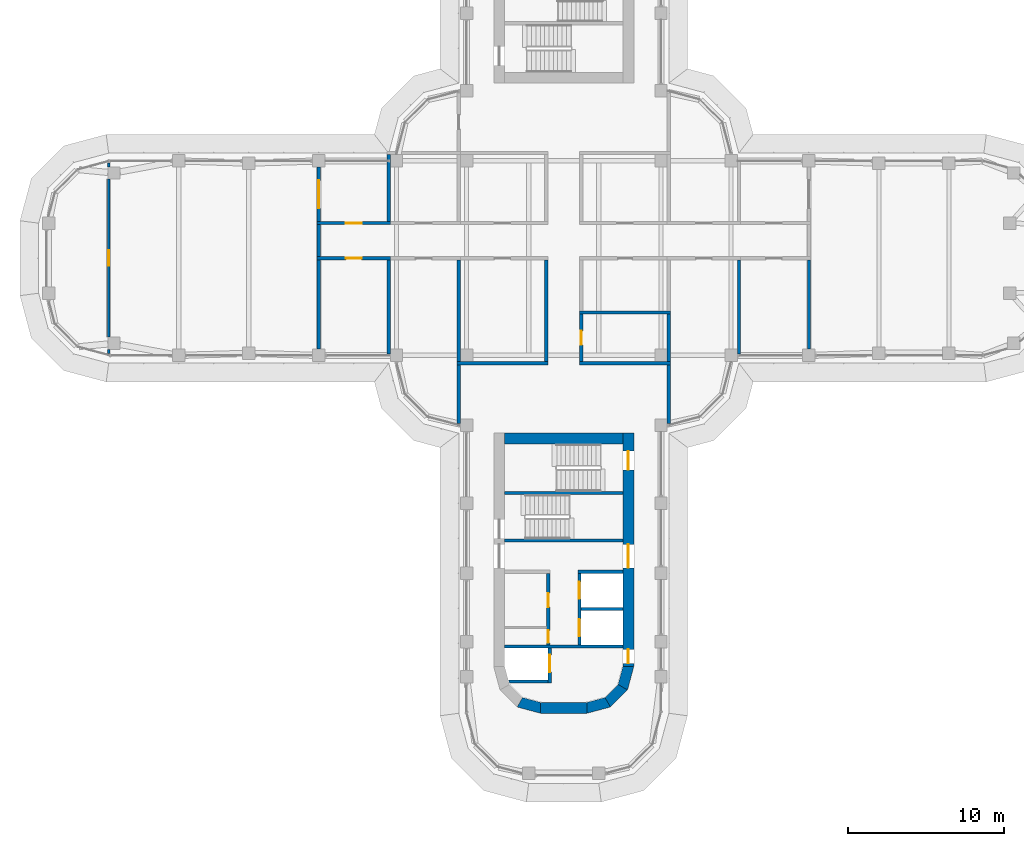
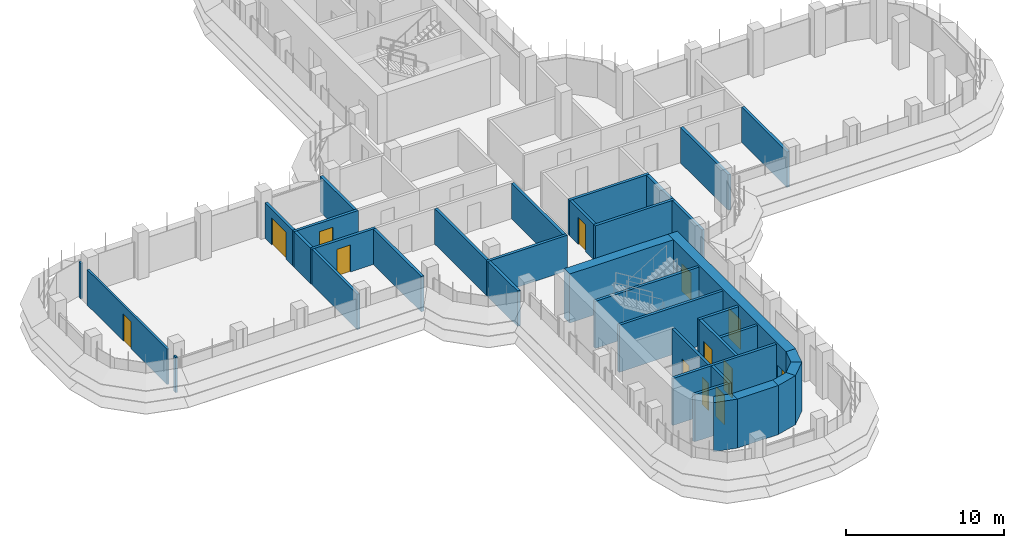
# One storey, part 14 of 20: 37 walls, 13 doors, 13 openings.
"""IFC4 building model written with IfcOpenShell, lengths in metres."""

from ifc_helpers import new_model, si_unit, direction, frame, frame_2d, origin, place, context, subcontext, project, spatial, polyline, rectangle, outline, extrude, material, layer, layer_set, type_object, element, fill, save


model = new_model("IFC4")

# Units and contexts
model_context = context("Model", 3, precision=1e-05, world=origin(), true_north=direction((0.0, 1.0)))
body_context = subcontext(model_context, "Body", "Model", "MODEL_VIEW")
ifc_project = project(units=[si_unit("LENGTHUNIT", "METRE"), si_unit("AREAUNIT", "SQUARE_METRE"), si_unit("VOLUMEUNIT", "CUBIC_METRE"), si_unit("PLANEANGLEUNIT", "RADIAN"), si_unit("MASSUNIT", "GRAM", prefix="KILO")], contexts=[model_context])

# Site, building, storey
site_placement = place(None, origin())
site = spatial("IfcSite", under=ifc_project, at=site_placement, CompositionType="ELEMENT")
building_placement = place(site_placement, origin())
building = spatial("IfcBuilding", under=site, at=building_placement, Name="Zarbagh Exchange Tower", CompositionType="ELEMENT")
storey_placement = place(building_placement, frame((0.0, 0.0, 152.39990234375)))
storey = spatial("IfcBuildingStorey", under=building, at=storey_placement, Name="L36", CompositionType="ELEMENT", Elevation=152.39990234375)

# Wall
ifc_material_1 = material(Name="Plasterboard partition")
ifc_layer_1 = layer(ifc_material_1, 0.14990234375)
ifc_layer_set_1 = layer_set([ifc_layer_1], Name="PARTITION 150")
wall_type_1 = type_object("IfcWallType", Name="PARTITION 150", PredefinedType="PARTITIONING", material=ifc_layer_set_1)
wall_1_placement = place(storey_placement, frame((-29.25, -6.1298828125, 0.0), z_axis=(0.0, 0.0, 1.0), x_axis=(0.0, 1.0, 0.0)))
element("IfcWall", 1, at=wall_1_placement, inside=storey, type_object=wall_type_1, Name="Partition W-1543", PredefinedType="PARTITIONING", context=body_context, shape_type="SweptSolid", body=[
    extrude(rectangle(XDim=0.2548828125, YDim=0.14990234375, at=frame_2d((0.12744140625, 0.0))), origin(), (0.0, 0.0, 1.0), 2.75),
])

# Wall, opening, door
wall_2_placement = place(storey_placement, frame((-29.25, -5.074951171875, 0.0), z_axis=(0.0, 0.0, 1.0), x_axis=(0.0, 1.0, 0.0)))
wall_2 = element("IfcWall", 2, at=wall_2_placement, inside=storey, type_object=wall_type_1, Name="Partition W-1544", PredefinedType="PARTITIONING", context=body_context, shape_type="SweptSolid", body=[
    extrude(rectangle(XDim=10.14990234375, YDim=0.14990234375, at=frame_2d((5.074951171875, 0.0))), origin(), (0.0, 0.0, 1.0), 2.75),
])
opening_1_placement = place(wall_2_placement, frame((4.574951171875, 0.0, 0.0)))
opening_1 = element("IfcOpeningElement", 3, at=opening_1_placement, cuts=wall_2, Name="Opening D-1514", PredefinedType="OPENING", context=body_context, shape_type="SweptSolid", body=[
    extrude(rectangle(XDim=1.0, YDim=2.10009765625, at=frame_2d((0.5, 1.050048828125))), frame((0.0, 0.0849609375, 0.0), z_axis=(0.0, -1.0, 0.0), x_axis=(1.0, 0.0, 0.0)), (0.0, 0.0, 1.0), 0.169921875),
])
ifc_material_2 = material(Name="Timber door leaf", Category="wood")
door_type_1 = type_object("IfcDoorType", Name="DOOR 1000 X 2100", OperationType="NOTDEFINED", PredefinedType="DOOR", material=ifc_material_2)
door_1_placement = place(opening_1_placement, origin())
door_1 = element("IfcDoor", 4, at=door_1_placement, inside=storey, type_object=door_type_1, Name="Door D-1514", OperationType="SINGLE_SWING_RIGHT", OverallHeight=2.10009765625, OverallWidth=1.0, PredefinedType="DOOR", context=body_context, shape_type="SweptSolid", body=[
    extrude(rectangle(XDim=1.0, YDim=2.10009765625, at=frame_2d((0.5, 1.050048828125))), frame((0.0, 0.02490234375, 0.0), z_axis=(0.0, -1.0, 0.0), x_axis=(1.0, 0.0, 0.0)), (0.0, 0.0, 1.0), 0.050048828125),
])
fill(opening_1, door_1)

# Wall
wall_3_placement = place(storey_placement, frame((-29.25, 5.875, 0.0), z_axis=(0.0, 0.0, 1.0), x_axis=(0.0, 1.0, 0.0)))
element("IfcWall", 5, at=wall_3_placement, inside=storey, type_object=wall_type_1, Name="Partition W-1545", PredefinedType="PARTITIONING", context=body_context, shape_type="SweptSolid", body=[
    extrude(rectangle(XDim=0.2548828125, YDim=0.14990234375, at=frame_2d((0.12744140625, 0.0))), origin(), (0.0, 0.0, 1.0), 2.75),
])

# Wall, opening, door
ifc_material_3 = material(Name="Fire-rated plasterboard partition")
ifc_layer_2 = layer(ifc_material_3, 0.199951171875)
ifc_layer_set_2 = layer_set([ifc_layer_2], Name="RATED PARTITION 200")
wall_type_2 = type_object("IfcWallType", Name="RATED PARTITION 200", PredefinedType="PARTITIONING", material=ifc_layer_set_2)
wall_4_placement = place(storey_placement, frame((-15.85009765625, 2.25, 0.0), z_axis=(0.0, 0.0, 1.0), x_axis=(1.0, 0.0, 0.0)))
wall_4 = element("IfcWall", 6, at=wall_4_placement, inside=storey, type_object=wall_type_2, Name="Partition W-1512", PredefinedType="PARTITIONING", context=body_context, shape_type="SweptSolid", body=[
    extrude(rectangle(XDim=4.7001953125, YDim=0.199951171875, at=frame_2d((2.35009765625, 0.0))), origin(), (0.0, 0.0, 1.0), 2.75),
])
opening_2_placement = place(wall_4_placement, frame((1.85009765625, 0.0, 0.0)))
opening_2 = element("IfcOpeningElement", 7, at=opening_2_placement, cuts=wall_4, Name="Opening D-1516", PredefinedType="OPENING", context=body_context, shape_type="SweptSolid", body=[
    extrude(rectangle(XDim=1.0, YDim=2.10009765625, at=frame_2d((0.5, 1.050048828125))), frame((0.0, 0.10986328125, 0.0), z_axis=(0.0, -1.0, 0.0), x_axis=(1.0, 0.0, 0.0)), (0.0, 0.0, 1.0), 0.219970703125),
])
ifc_material_4 = material(Name="Steel door set", Category="steel")
door_type_2 = type_object("IfcDoorType", Name="FIRE DOOR 1000 X 2100 FD30S", OperationType="NOTDEFINED", PredefinedType="DOOR", material=ifc_material_4)
door_2_placement = place(opening_2_placement, origin())
door_2 = element("IfcDoor", 8, at=door_2_placement, inside=storey, type_object=door_type_2, Name="Door D-1516", OperationType="SINGLE_SWING_RIGHT", OverallHeight=2.10009765625, OverallWidth=1.0, PredefinedType="DOOR", context=body_context, shape_type="SweptSolid", body=[
    extrude(rectangle(XDim=1.0, YDim=2.10009765625, at=frame_2d((0.5, 1.050048828125))), frame((0.0, 0.02490234375, 0.0), z_axis=(0.0, -1.0, 0.0), x_axis=(1.0, 0.0, 0.0)), (0.0, 0.0, 1.0), 0.050048828125),
])
fill(opening_2, door_2)

wall_5_placement = place(storey_placement, frame((-11.14990234375, 0.0, 0.0), z_axis=(0.0, 0.0, 1.0), x_axis=(-1.0, 0.0, 0.0)))
wall_5 = element("IfcWall", 9, at=wall_5_placement, inside=storey, type_object=wall_type_2, Name="Partition W-1513", PredefinedType="PARTITIONING", context=body_context, shape_type="SweptSolid", body=[
    extrude(rectangle(XDim=4.7001953125, YDim=0.199951171875, at=frame_2d((2.35009765625, 0.0))), origin(), (0.0, 0.0, 1.0), 2.75),
])
opening_3_placement = place(wall_5_placement, frame((1.85009765625, 0.0, 0.0)))
opening_3 = element("IfcOpeningElement", 10, at=opening_3_placement, cuts=wall_5, Name="Opening D-1517", PredefinedType="OPENING", context=body_context, shape_type="SweptSolid", body=[
    extrude(rectangle(XDim=1.0, YDim=2.10009765625, at=frame_2d((0.5, 1.050048828125))), frame((0.0, 0.10986328125, 0.0), z_axis=(0.0, -1.0, 0.0), x_axis=(1.0, 0.0, 0.0)), (0.0, 0.0, 1.0), 0.219970703125),
])
door_3_placement = place(opening_3_placement, origin())
door_3 = element("IfcDoor", 11, at=door_3_placement, inside=storey, type_object=door_type_2, Name="Door D-1517", OperationType="SINGLE_SWING_RIGHT", OverallHeight=2.10009765625, OverallWidth=1.0, PredefinedType="DOOR", context=body_context, shape_type="SweptSolid", body=[
    extrude(rectangle(XDim=1.0, YDim=2.10009765625, at=frame_2d((0.5, 1.050048828125))), frame((0.0, 0.02490234375, 0.0), z_axis=(0.0, -1.0, 0.0), x_axis=(1.0, 0.0, 0.0)), (0.0, 0.0, 1.0), 0.050048828125),
])
fill(opening_3, door_3)

# Wall
wall_6_placement = place(storey_placement, frame((-15.75, 0.10009765625, 0.0), z_axis=(0.0, 0.0, 1.0), x_axis=(0.0, 1.0, 0.0)))
element("IfcWall", 12, at=wall_6_placement, inside=storey, type_object=wall_type_2, Name="Partition W-1514", PredefinedType="PARTITIONING", context=body_context, shape_type="SweptSolid", body=[
    extrude(rectangle(XDim=2.0498046875, YDim=0.199951171875, at=frame_2d((1.02490234375, 0.0))), origin(), (0.0, 0.0, 1.0), 2.75),
])

# Wall, opening, door
wall_7_placement = place(storey_placement, frame((1.125, -3.60009765625, 0.0), z_axis=(0.0, 0.0, 1.0), x_axis=(0.0, -1.0, 0.0)))
wall_7 = element("IfcWall", 13, at=wall_7_placement, inside=storey, type_object=wall_type_2, Name="Partition W-1518", PredefinedType="PARTITIONING", context=body_context, shape_type="SweptSolid", body=[
    extrude(rectangle(XDim=3.0498046875, YDim=0.199951171875, at=frame_2d((1.52490234375, 0.0))), origin(), (0.0, 0.0, 1.0), 2.75),
])
opening_4_placement = place(wall_7_placement, frame((1.074951171875, 0.0, 0.0)))
opening_4 = element("IfcOpeningElement", 14, at=opening_4_placement, cuts=wall_7, Name="Opening D-1510", PredefinedType="OPENING", context=body_context, shape_type="SweptSolid", body=[
    extrude(rectangle(XDim=0.89990234375, YDim=2.10009765625, at=frame_2d((0.449951171875, 1.050048828125))), frame((0.0, 0.10986328125, 0.0), z_axis=(0.0, -1.0, 0.0), x_axis=(1.0, 0.0, 0.0)), (0.0, 0.0, 1.0), 0.219970703125),
])
door_type_3 = type_object("IfcDoorType", Name="DOOR 900 X 2100", OperationType="NOTDEFINED", PredefinedType="DOOR", material=ifc_material_2)
door_4_placement = place(opening_4_placement, origin())
door_4 = element("IfcDoor", 15, at=door_4_placement, inside=storey, type_object=door_type_3, Name="Door D-1510", OperationType="SINGLE_SWING_LEFT", OverallHeight=2.10009765625, OverallWidth=0.89990234375, PredefinedType="DOOR", context=body_context, shape_type="SweptSolid", body=[
    extrude(rectangle(XDim=0.89990234375, YDim=2.10009765625, at=frame_2d((0.449951171875, 1.050048828125))), frame((0.0, 0.02490234375, 0.0), z_axis=(0.0, -1.0, 0.0), x_axis=(1.0, 0.0, 0.0)), (0.0, 0.0, 1.0), 0.050048828125),
])
fill(opening_4, door_4)

# Walls
wall_8_placement = place(storey_placement, frame((-1.125, -6.64990234375, 0.0), z_axis=(0.0, 0.0, 1.0), x_axis=(0.0, 1.0, 0.0)))
element("IfcWall", 16, at=wall_8_placement, inside=storey, type_object=wall_type_2, Name="Partition W-1519", PredefinedType="PARTITIONING", context=body_context, shape_type="SweptSolid", body=[
    extrude(rectangle(XDim=6.5498046875, YDim=0.199951171875, at=frame_2d((3.27490234375, 0.0))), origin(), (0.0, 0.0, 1.0), 2.75),
])
wall_9_placement = place(storey_placement, frame((1.02490234375, -6.75, 0.0), z_axis=(0.0, 0.0, 1.0), x_axis=(1.0, 0.0, 0.0)))
element("IfcWall", 17, at=wall_9_placement, inside=storey, type_object=wall_type_2, Name="Partition W-1524", PredefinedType="PARTITIONING", context=body_context, shape_type="SweptSolid", body=[
    extrude(rectangle(XDim=5.8251953125, YDim=0.199951171875, at=frame_2d((2.91259765625, 0.0))), origin(), (0.0, 0.0, 1.0), 2.75),
])
wall_10_placement = place(storey_placement, frame((6.75, -10.6298828125, 0.0), z_axis=(0.0, 0.0, 1.0), x_axis=(0.0, 1.0, 0.0)))
element("IfcWall", 18, at=wall_10_placement, inside=storey, type_object=wall_type_2, Name="Partition W-1525", PredefinedType="PARTITIONING", context=body_context, shape_type="SweptSolid", body=[
    extrude(rectangle(XDim=3.77978515625, YDim=0.199951171875, at=frame_2d((1.889892578125, 0.0))), origin(), (0.0, 0.0, 1.0), 2.75),
])
wall_11_placement = place(storey_placement, frame((-6.85009765625, -6.75, 0.0), z_axis=(0.0, 0.0, 1.0), x_axis=(1.0, 0.0, 0.0)))
element("IfcWall", 19, at=wall_11_placement, inside=storey, type_object=wall_type_2, Name="Partition W-1526", PredefinedType="PARTITIONING", context=body_context, shape_type="SweptSolid", body=[
    extrude(rectangle(XDim=5.8251953125, YDim=0.199951171875, at=frame_2d((2.91259765625, 0.0))), origin(), (0.0, 0.0, 1.0), 2.75),
])
wall_12_placement = place(storey_placement, frame((-6.75, -10.6298828125, 0.0), z_axis=(0.0, 0.0, 1.0), x_axis=(0.0, 1.0, 0.0)))
element("IfcWall", 20, at=wall_12_placement, inside=storey, type_object=wall_type_2, Name="Partition W-1527", PredefinedType="PARTITIONING", context=body_context, shape_type="SweptSolid", body=[
    extrude(rectangle(XDim=3.77978515625, YDim=0.199951171875, at=frame_2d((1.889892578125, 0.0))), origin(), (0.0, 0.0, 1.0), 2.75),
])
wall_13_placement = place(storey_placement, frame((-11.25, 2.35009765625, 0.0), z_axis=(0.0, 0.0, 1.0), x_axis=(0.0, 1.0, 0.0)))
element("IfcWall", 21, at=wall_13_placement, inside=storey, type_object=wall_type_2, Name="Partition W-1532", PredefinedType="PARTITIONING", context=body_context, shape_type="SweptSolid", body=[
    extrude(rectangle(XDim=4.2998046875, YDim=0.199951171875, at=frame_2d((2.14990234375, 0.0))), origin(), (0.0, 0.0, 1.0), 2.75),
])
wall_14_placement = place(storey_placement, frame((1.02490234375, -3.5, 0.0), z_axis=(0.0, 0.0, 1.0), x_axis=(1.0, 0.0, 0.0)))
element("IfcWall", 22, at=wall_14_placement, inside=storey, type_object=wall_type_2, Name="Partition W-1533", PredefinedType="PARTITIONING", context=body_context, shape_type="SweptSolid", body=[
    extrude(rectangle(XDim=5.8251953125, YDim=0.199951171875, at=frame_2d((2.91259765625, 0.0))), origin(), (0.0, 0.0, 1.0), 2.75),
])
wall_15_placement = place(storey_placement, frame((6.75, -6.64990234375, 0.0), z_axis=(0.0, 0.0, 1.0), x_axis=(0.0, 1.0, 0.0)))
element("IfcWall", 23, at=wall_15_placement, inside=storey, type_object=wall_type_2, Name="Partition W-1535", PredefinedType="PARTITIONING", context=body_context, shape_type="SweptSolid", body=[
    extrude(rectangle(XDim=3.0498046875, YDim=0.199951171875, at=frame_2d((1.52490234375, 0.0))), origin(), (0.0, 0.0, 1.0), 2.75),
])
wall_16_placement = place(storey_placement, frame((11.25, -6.169921875, 0.0), z_axis=(0.0, 0.0, 1.0), x_axis=(0.0, 1.0, 0.0)))
element("IfcWall", 24, at=wall_16_placement, inside=storey, type_object=wall_type_2, Name="Partition W-1536", PredefinedType="PARTITIONING", context=body_context, shape_type="SweptSolid", body=[
    extrude(rectangle(XDim=6.06982421875, YDim=0.199951171875, at=frame_2d((3.034912109375, 0.0))), origin(), (0.0, 0.0, 1.0), 2.75),
])
wall_17_placement = place(storey_placement, frame((-6.75, -6.64990234375, 0.0), z_axis=(0.0, 0.0, 1.0), x_axis=(0.0, 1.0, 0.0)))
element("IfcWall", 25, at=wall_17_placement, inside=storey, type_object=wall_type_2, Name="Partition W-1537", PredefinedType="PARTITIONING", context=body_context, shape_type="SweptSolid", body=[
    extrude(rectangle(XDim=6.5498046875, YDim=0.199951171875, at=frame_2d((3.27490234375, 0.0))), origin(), (0.0, 0.0, 1.0), 2.75),
])
wall_18_placement = place(storey_placement, frame((-11.25, -6.169921875, 0.0), z_axis=(0.0, 0.0, 1.0), x_axis=(0.0, 1.0, 0.0)))
element("IfcWall", 26, at=wall_18_placement, inside=storey, type_object=wall_type_2, Name="Partition W-1538", PredefinedType="PARTITIONING", context=body_context, shape_type="SweptSolid", body=[
    extrude(rectangle(XDim=6.06982421875, YDim=0.199951171875, at=frame_2d((3.034912109375, 0.0))), origin(), (0.0, 0.0, 1.0), 2.75),
])
wall_19_placement = place(storey_placement, frame((15.75, -5.85009765625, 0.0), z_axis=(0.0, 0.0, 1.0), x_axis=(0.0, 1.0, 0.0)))
element("IfcWall", 27, at=wall_19_placement, inside=storey, type_object=wall_type_2, Name="Partition W-1540", PredefinedType="PARTITIONING", context=body_context, shape_type="SweptSolid", body=[
    extrude(rectangle(XDim=5.75, YDim=0.199951171875, at=frame_2d((2.875, 0.0))), origin(), (0.0, 0.0, 1.0), 2.75),
])

# Wall, opening, door
wall_20_placement = place(storey_placement, frame((-15.75, 2.35009765625, 0.0), z_axis=(0.0, 0.0, 1.0), x_axis=(0.0, 1.0, 0.0)))
wall_20 = element("IfcWall", 28, at=wall_20_placement, inside=storey, type_object=wall_type_2, Name="Partition W-1541", PredefinedType="PARTITIONING", context=body_context, shape_type="SweptSolid", body=[
    extrude(rectangle(XDim=3.5, YDim=0.199951171875, at=frame_2d((1.75, 0.0))), origin(), (0.0, 0.0, 1.0), 2.75),
])
opening_5_placement = place(wall_20_placement, frame((0.85009765625, 0.0, 0.0)))
opening_5 = element("IfcOpeningElement", 29, at=opening_5_placement, cuts=wall_20, Name="Opening D-1515", PredefinedType="OPENING", context=body_context, shape_type="SweptSolid", body=[
    extrude(rectangle(XDim=1.800048828125, YDim=2.10009765625, at=frame_2d((0.89990234375, 1.050048828125))), frame((0.0, 0.10986328125, 0.0), z_axis=(0.0, -1.0, 0.0), x_axis=(1.0, 0.0, 0.0)), (0.0, 0.0, 1.0), 0.219970703125),
])
door_type_4 = type_object("IfcDoorType", Name="FIRE DOUBLE DOOR 1800 X 2100 FD30S", OperationType="DOUBLE_DOOR_SINGLE_SWING", PredefinedType="DOOR", material=ifc_material_4)
door_5_placement = place(opening_5_placement, origin())
door_5 = element("IfcDoor", 30, at=door_5_placement, inside=storey, type_object=door_type_4, Name="Door D-1515", OperationType="DOUBLE_DOOR_SINGLE_SWING", OverallHeight=2.10009765625, OverallWidth=1.800048828125, PredefinedType="DOOR", context=body_context, shape_type="SweptSolid", body=[
    extrude(rectangle(XDim=1.800048828125, YDim=2.10009765625, at=frame_2d((0.89990234375, 1.050048828125))), frame((0.0, 0.02490234375, 0.0), z_axis=(0.0, -1.0, 0.0), x_axis=(1.0, 0.0, 0.0)), (0.0, 0.0, 1.0), 0.050048828125),
])
fill(opening_5, door_5)

# Walls
wall_21_placement = place(storey_placement, frame((-15.75, -5.85009765625, 0.0), z_axis=(0.0, 0.0, 1.0), x_axis=(0.0, 1.0, 0.0)))
element("IfcWall", 31, at=wall_21_placement, inside=storey, type_object=wall_type_2, Name="Partition W-1542", PredefinedType="PARTITIONING", context=body_context, shape_type="SweptSolid", body=[
    extrude(rectangle(XDim=5.75, YDim=0.199951171875, at=frame_2d((2.875, 0.0))), origin(), (0.0, 0.0, 1.0), 2.75),
])
ifc_material_5 = material(Name="Concrete C50/60", Category="concrete")
ifc_layer_3 = layer(ifc_material_5, 0.699951171875)
ifc_layer_set_3 = layer_set([ifc_layer_3], Name="RC core corner wall 700 C50/60")
wall_type_3 = type_object("IfcWallType", Name="RC core corner wall 700 C50/60", PredefinedType="SHEAR", material=ifc_layer_set_3)
wall_22_placement = place(storey_placement, origin())
element("IfcWall", 32, at=wall_22_placement, inside=storey, type_object=wall_type_3, Name="CW6 core S corner W", PredefinedType="SHEAR", context=body_context, shape_type="SweptSolid", body=[
    extrude(outline(polyline([(-3.0, -28.84814453125), (-1.5, -29.25), (-1.5, -28.550048828125), (-2.64990234375, -28.241943359375), (-3.0, -28.84814453125)])), origin(), (0.0, 0.0, 1.0), 3.800048828125),
])
wall_23_placement = place(storey_placement, origin())
element("IfcWall", 33, at=wall_23_placement, inside=storey, type_object=wall_type_3, Name="CW6 core S corner E", PredefinedType="SHEAR", context=body_context, shape_type="SweptSolid", body=[
    extrude(outline(polyline([(4.5, -26.25), (4.09814453125, -27.75), (3.491943359375, -27.39990234375), (3.800048828125, -26.25), (4.5, -26.25)])), origin(), (0.0, 0.0, 1.0), 3.800048828125),
])
wall_24_placement = place(storey_placement, origin())
element("IfcWall", 34, at=wall_24_placement, inside=storey, type_object=wall_type_3, Name="CW6 core S corner E", PredefinedType="SHEAR", context=body_context, shape_type="SweptSolid", body=[
    extrude(outline(polyline([(4.09814453125, -27.75), (3.0, -28.84814453125), (2.64990234375, -28.241943359375), (3.491943359375, -27.39990234375), (4.09814453125, -27.75)])), origin(), (0.0, 0.0, 1.0), 3.800048828125),
])
wall_25_placement = place(storey_placement, origin())
element("IfcWall", 35, at=wall_25_placement, inside=storey, type_object=wall_type_3, Name="CW6 core S corner E", PredefinedType="SHEAR", context=body_context, shape_type="SweptSolid", body=[
    extrude(outline(polyline([(3.0, -28.84814453125), (1.5, -29.25), (1.5, -28.550048828125), (2.64990234375, -28.241943359375), (3.0, -28.84814453125)])), origin(), (0.0, 0.0, 1.0), 3.800048828125),
])

# Wall, openings, doors
ifc_layer_4 = layer(ifc_material_5, 0.699951171875)
ifc_layer_set_4 = layer_set([ifc_layer_4], Name="RC core wall 700 C50/60")
wall_type_4 = type_object("IfcWallType", Name="RC core wall 700 C50/60", PredefinedType="SHEAR", material=ifc_layer_set_4)
wall_26_placement = place(storey_placement, frame((4.14990234375, -11.25, 0.0), z_axis=(0.0, 0.0, 1.0), x_axis=(0.0, -1.0, 0.0)))
wall_26 = element("IfcWall", 36, at=wall_26_placement, inside=storey, type_object=wall_type_4, Name="CW5 core S E", PredefinedType="SHEAR", context=body_context, shape_type="SweptSolid", body=[
    extrude(rectangle(XDim=15.0, YDim=0.699951171875, at=frame_2d((7.5, 0.0))), origin(), (0.0, 0.0, 1.0), 3.800048828125),
])
opening_6_placement = place(wall_26_placement, frame((7.14990234375, 0.0, 0.0)))
opening_6 = element("IfcOpeningElement", 37, at=opening_6_placement, cuts=wall_26, Name="Opening CD1-1500", PredefinedType="OPENING", context=body_context, shape_type="SweptSolid", body=[
    extrude(rectangle(XDim=1.5, YDim=2.300048828125, at=frame_2d((0.75, 1.14990234375))), frame((0.0, 0.35986328125, 0.0), z_axis=(0.0, -1.0, 0.0), x_axis=(1.0, 0.0, 0.0)), (0.0, 0.0, 1.0), 0.719970703125),
])
opening_7_placement = place(wall_26_placement, frame((13.89990234375, 0.0, 0.0)))
opening_7 = element("IfcOpeningElement", 38, at=opening_7_placement, cuts=wall_26, Name="Opening CD2-900", PredefinedType="OPENING", context=body_context, shape_type="SweptSolid", body=[
    extrude(rectangle(XDim=0.89990234375, YDim=2.10009765625, at=frame_2d((0.449951171875, 1.050048828125))), frame((0.0, 0.35986328125, 0.0), z_axis=(0.0, -1.0, 0.0), x_axis=(1.0, 0.0, 0.0)), (0.0, 0.0, 1.0), 0.719970703125),
])
opening_8_placement = place(wall_26_placement, frame((1.14990234375, 0.0, 0.0)))
opening_8 = element("IfcOpeningElement", 39, at=opening_8_placement, cuts=wall_26, Name="Opening SD1-1200", PredefinedType="OPENING", context=body_context, shape_type="SweptSolid", body=[
    extrude(rectangle(XDim=1.199951171875, YDim=2.10009765625, at=frame_2d((0.60009765625, 1.050048828125))), frame((0.0, 0.35986328125, 0.0), z_axis=(0.0, -1.0, 0.0), x_axis=(1.0, 0.0, 0.0)), (0.0, 0.0, 1.0), 0.719970703125),
])
ifc_material_6 = material(Name="Steel", Category="steel")
door_type_5 = type_object("IfcDoorType", Name="Exit stair door 1200 x 2100", OperationType="NOTDEFINED", PredefinedType="DOOR", material=ifc_material_6)
door_6_placement = place(opening_8_placement, origin())
door_6 = element("IfcDoor", 40, at=door_6_placement, inside=storey, type_object=door_type_5, Name="South core stair door ST2", OperationType="SINGLE_SWING_RIGHT", OverallHeight=2.10009765625, OverallWidth=1.199951171875, PredefinedType="DOOR", context=body_context, shape_type="SweptSolid", body=[
    extrude(rectangle(XDim=1.199951171875, YDim=2.10009765625, at=frame_2d((0.60009765625, 1.050048828125))), frame((0.0, 0.02490234375, 0.0), z_axis=(0.0, -1.0, 0.0), x_axis=(1.0, 0.0, 0.0)), (0.0, 0.0, 1.0), 0.050048828125),
])
fill(opening_8, door_6)
door_type_6 = type_object("IfcDoorType", Name="Firefighting lobby door 900 x 2100", OperationType="NOTDEFINED", PredefinedType="DOOR", material=ifc_material_6)
door_7_placement = place(opening_7_placement, origin())
door_7 = element("IfcDoor", 41, at=door_7_placement, inside=storey, type_object=door_type_6, Name="South core firefighting lobby door FF-W", OperationType="SINGLE_SWING_LEFT", OverallHeight=2.10009765625, OverallWidth=0.89990234375, PredefinedType="DOOR", context=body_context, shape_type="SweptSolid", body=[
    extrude(rectangle(XDim=0.89990234375, YDim=2.10009765625, at=frame_2d((0.449951171875, 1.050048828125))), frame((0.0, 0.02490234375, 0.0), z_axis=(0.0, -1.0, 0.0), x_axis=(1.0, 0.0, 0.0)), (0.0, 0.0, 1.0), 0.050048828125),
])
fill(opening_7, door_7)
door_type_7 = type_object("IfcDoorType", Name="Lift lobby double door 1500 x 2300", OperationType="NOTDEFINED", PredefinedType="DOOR", material=ifc_material_6)
door_8_placement = place(opening_6_placement, origin())
door_8 = element("IfcDoor", 42, at=door_8_placement, inside=storey, type_object=door_type_7, Name="South core lift lobby door LOBBY-W", OperationType="DOUBLE_DOOR_SINGLE_SWING", OverallHeight=2.300048828125, OverallWidth=1.5, PredefinedType="DOOR", context=body_context, shape_type="SweptSolid", body=[
    extrude(rectangle(XDim=1.5, YDim=2.300048828125, at=frame_2d((0.75, 1.14990234375))), frame((0.0, 0.02490234375, 0.0), z_axis=(0.0, -1.0, 0.0), x_axis=(1.0, 0.0, 0.0)), (0.0, 0.0, 1.0), 0.050048828125),
])
fill(opening_6, door_8)

# Walls
wall_27_placement = place(storey_placement, frame((-3.800048828125, -11.60009765625, 0.0), z_axis=(0.0, 0.0, 1.0), x_axis=(1.0, 0.0, 0.0)))
element("IfcWall", 43, at=wall_27_placement, inside=storey, type_object=wall_type_4, Name="CW5 core S inner end", PredefinedType="SHEAR", context=body_context, shape_type="SweptSolid", body=[
    extrude(rectangle(XDim=7.60009765625, YDim=0.699951171875, at=frame_2d((3.800048828125, 0.0))), origin(), (0.0, 0.0, 1.0), 3.800048828125),
])
wall_28_placement = place(storey_placement, frame((-1.5, -28.89990234375, 0.0), z_axis=(0.0, 0.0, 1.0), x_axis=(1.0, 0.0, 0.0)))
element("IfcWall", 44, at=wall_28_placement, inside=storey, type_object=wall_type_4, Name="CW5 core S outer end", PredefinedType="SHEAR", context=body_context, shape_type="SweptSolid", body=[
    extrude(rectangle(XDim=3.0, YDim=0.699951171875, at=frame_2d((1.5, 0.0))), origin(), (0.0, 0.0, 1.0), 3.800048828125),
])
ifc_material_7 = material(Name="Dense blockwork", Category="masonry")
ifc_layer_5 = layer(ifc_material_7, 0.199951171875)
ifc_layer_set_5 = layer_set([ifc_layer_5], Name="Shaft wall 200 mm blockwork")
wall_type_5 = type_object("IfcWallType", Name="Shaft wall 200 mm blockwork", PredefinedType="PARTITIONING", material=ifc_layer_set_5)
wall_29_placement = place(storey_placement, frame((3.800048828125, -20.14990234375, 0.0), z_axis=(0.0, 0.0, 1.0), x_axis=(-1.0, 0.0, 0.0)))
element("IfcWall", 45, at=wall_29_placement, inside=storey, type_object=wall_type_5, Name="South core shaft wall AB-W", PredefinedType="PARTITIONING", context=body_context, shape_type="SweptSolid", body=[
    extrude(rectangle(XDim=2.900146484375, YDim=0.199951171875, at=frame_2d((1.4501953125, 0.0))), origin(), (0.0, 0.0, 1.0), 3.650146484375),
])

# Wall, openings, doors
wall_30_placement = place(storey_placement, frame((1.0, -24.85009765625, 0.0), z_axis=(0.0, 0.0, 1.0), x_axis=(0.0, 1.0, 0.0)))
wall_30 = element("IfcWall", 46, at=wall_30_placement, inside=storey, type_object=wall_type_5, Name="South core shaft wall LW-W", PredefinedType="PARTITIONING", context=body_context, shape_type="SweptSolid", body=[
    extrude(rectangle(XDim=4.60009765625, YDim=0.199951171875, at=frame_2d((2.300048828125, 0.0))), origin(), (0.0, 0.0, 1.0), 3.650146484375),
])
opening_9_placement = place(wall_30_placement, frame((0.550048828125, 0.0, 0.0)))
opening_9 = element("IfcOpeningElement", 47, at=opening_9_placement, cuts=wall_30, Name="Opening LD-1100", PredefinedType="OPENING", context=body_context, shape_type="SweptSolid", body=[
    extrude(rectangle(XDim=1.10009765625, YDim=2.300048828125, at=frame_2d((0.550048828125, 1.14990234375))), frame((0.0, 0.10986328125, 0.0), z_axis=(0.0, -1.0, 0.0), x_axis=(1.0, 0.0, 0.0)), (0.0, 0.0, 1.0), 0.219970703125),
])
opening_10_placement = place(wall_30_placement, frame((2.949951171875, 0.0, 0.0)))
opening_10 = element("IfcOpeningElement", 48, at=opening_10_placement, cuts=wall_30, Name="Opening LD-1100", PredefinedType="OPENING", context=body_context, shape_type="SweptSolid", body=[
    extrude(rectangle(XDim=1.10009765625, YDim=2.300048828125, at=frame_2d((0.550048828125, 1.14990234375))), frame((0.0, 0.10986328125, 0.0), z_axis=(0.0, -1.0, 0.0), x_axis=(1.0, 0.0, 0.0)), (0.0, 0.0, 1.0), 0.219970703125),
])
ifc_material_8 = material(Name="Stainless steel", Category="steel")
door_type_8 = type_object("IfcDoorType", Name="Lift landing door 1100 x 2300", OperationType="NOTDEFINED", PredefinedType="DOOR", material=ifc_material_8)
door_9_placement = place(opening_9_placement, origin())
door_9 = element("IfcDoor", 49, at=door_9_placement, inside=storey, type_object=door_type_8, Name="South core lift landing door LD-P-S1", OperationType="DOUBLE_DOOR_SLIDING", OverallHeight=2.300048828125, OverallWidth=1.10009765625, PredefinedType="DOOR", context=body_context, shape_type="SweptSolid", body=[
    extrude(rectangle(XDim=1.10009765625, YDim=2.300048828125, at=frame_2d((0.550048828125, 1.14990234375))), frame((0.0, 0.02490234375, 0.0), z_axis=(0.0, -1.0, 0.0), x_axis=(1.0, 0.0, 0.0)), (0.0, 0.0, 1.0), 0.050048828125),
])
fill(opening_9, door_9)
door_10_placement = place(opening_10_placement, origin())
door_10 = element("IfcDoor", 50, at=door_10_placement, inside=storey, type_object=door_type_8, Name="South core lift landing door LD-P-S2", OperationType="DOUBLE_DOOR_SLIDING", OverallHeight=2.300048828125, OverallWidth=1.10009765625, PredefinedType="DOOR", context=body_context, shape_type="SweptSolid", body=[
    extrude(rectangle(XDim=1.10009765625, YDim=2.300048828125, at=frame_2d((0.550048828125, 1.14990234375))), frame((0.0, 0.02490234375, 0.0), z_axis=(0.0, -1.0, 0.0), x_axis=(1.0, 0.0, 0.0)), (0.0, 0.0, 1.0), 0.050048828125),
])
fill(opening_10, door_10)

wall_31_placement = place(storey_placement, frame((-1.0, -24.85009765625, 0.0), z_axis=(0.0, 0.0, 1.0), x_axis=(0.0, 1.0, 0.0)))
wall_31 = element("IfcWall", 51, at=wall_31_placement, inside=storey, type_object=wall_type_5, Name="South core shaft wall LW-E", PredefinedType="PARTITIONING", context=body_context, shape_type="SweptSolid", body=[
    extrude(rectangle(XDim=4.60009765625, YDim=0.199951171875, at=frame_2d((2.300048828125, 0.0))), origin(), (0.0, 0.0, 1.0), 3.650146484375),
])
opening_11_placement = place(wall_31_placement, frame((0.125, 0.0, 0.0)))
opening_11 = element("IfcOpeningElement", 52, at=opening_11_placement, cuts=wall_31, Name="Opening CD3-800", PredefinedType="OPENING", context=body_context, shape_type="SweptSolid", body=[
    extrude(rectangle(XDim=0.800048828125, YDim=2.10009765625, at=frame_2d((0.39990234375, 1.050048828125))), frame((0.0, 0.10986328125, 0.0), z_axis=(0.0, -1.0, 0.0), x_axis=(1.0, 0.0, 0.0)), (0.0, 0.0, 1.0), 0.219970703125),
])
opening_12_placement = place(wall_31_placement, frame((2.425048828125, 0.0, 0.0)))
opening_12 = element("IfcOpeningElement", 53, at=opening_12_placement, cuts=wall_31, Name="Opening CD3-900", PredefinedType="OPENING", context=body_context, shape_type="SweptSolid", body=[
    extrude(rectangle(XDim=0.89990234375, YDim=2.10009765625, at=frame_2d((0.449951171875, 1.050048828125))), frame((0.0, 0.10986328125, 0.0), z_axis=(0.0, -1.0, 0.0), x_axis=(1.0, 0.0, 0.0)), (0.0, 0.0, 1.0), 0.219970703125),
])
door_type_9 = type_object("IfcDoorType", Name="Core room door 800 x 2100", OperationType="NOTDEFINED", PredefinedType="DOOR", material=ifc_material_6)
door_11_placement = place(opening_11_placement, origin())
door_11 = element("IfcDoor", 54, at=door_11_placement, inside=storey, type_object=door_type_9, Name="South core Store door RD-E-0", OperationType="SINGLE_SWING_RIGHT", OverallHeight=2.10009765625, OverallWidth=0.800048828125, PredefinedType="DOOR", context=body_context, shape_type="SweptSolid", body=[
    extrude(rectangle(XDim=0.800048828125, YDim=2.10009765625, at=frame_2d((0.39990234375, 1.050048828125))), frame((0.0, 0.02490234375, 0.0), z_axis=(0.0, -1.0, 0.0), x_axis=(1.0, 0.0, 0.0)), (0.0, 0.0, 1.0), 0.050048828125),
])
fill(opening_11, door_11)
door_type_10 = type_object("IfcDoorType", Name="Core room door 900 x 2100", OperationType="NOTDEFINED", PredefinedType="DOOR", material=ifc_material_6)
door_12_placement = place(opening_12_placement, origin())
door_12 = element("IfcDoor", 55, at=door_12_placement, inside=storey, type_object=door_type_10, Name="South core Accessible WC door RD-E-1", OperationType="SINGLE_SWING_RIGHT", OverallHeight=2.10009765625, OverallWidth=0.89990234375, PredefinedType="DOOR", context=body_context, shape_type="SweptSolid", body=[
    extrude(rectangle(XDim=0.89990234375, YDim=2.10009765625, at=frame_2d((0.449951171875, 1.050048828125))), frame((0.0, 0.02490234375, 0.0), z_axis=(0.0, -1.0, 0.0), x_axis=(1.0, 0.0, 0.0)), (0.0, 0.0, 1.0), 0.050048828125),
])
fill(opening_12, door_12)

# Walls
wall_32_placement = place(storey_placement, frame((3.800048828125, -22.550048828125, 0.0), z_axis=(0.0, 0.0, 1.0), x_axis=(-1.0, 0.0, 0.0)))
element("IfcWall", 56, at=wall_32_placement, inside=storey, type_object=wall_type_5, Name="South core shaft wall TR-W", PredefinedType="PARTITIONING", context=body_context, shape_type="SweptSolid", body=[
    extrude(rectangle(XDim=2.699951171875, YDim=0.199951171875, at=frame_2d((1.35009765625, 0.0))), origin(), (0.0, 0.0, 1.0), 3.650146484375),
])
ifc_material_9 = material(Name="Concrete C40/50", Category="concrete")
ifc_layer_6 = layer(ifc_material_9, 0.199951171875)
ifc_layer_set_6 = layer_set([ifc_layer_6], Name="Stair enclosure wall 200 mm RC C40/50")
wall_type_6 = type_object("IfcWallType", Name="Stair enclosure wall 200 mm RC C40/50", PredefinedType="SHEAR", material=ifc_layer_set_6)
wall_33_placement = place(storey_placement, frame((3.800048828125, -24.949951171875, 0.0), z_axis=(0.0, 0.0, 1.0), x_axis=(-1.0, 0.0, 0.0)))
element("IfcWall", 57, at=wall_33_placement, inside=storey, type_object=wall_type_6, Name="South core lift shaft wall FFA", PredefinedType="SHEAR", context=body_context, shape_type="SweptSolid", body=[
    extrude(rectangle(XDim=7.60009765625, YDim=0.199951171875, at=frame_2d((3.800048828125, 0.0))), origin(), (0.0, 0.0, 1.0), 3.650146484375),
])

# Wall, opening, door
wall_34_placement = place(storey_placement, frame((-0.89990234375, -27.300048828125, 0.0), z_axis=(0.0, 0.0, 1.0), x_axis=(0.0, 1.0, 0.0)))
wall_34 = element("IfcWall", 58, at=wall_34_placement, inside=storey, type_object=wall_type_6, Name="South core lift shaft wall FFL", PredefinedType="SHEAR", context=body_context, shape_type="SweptSolid", body=[
    extrude(rectangle(XDim=2.25, YDim=0.199951171875, at=frame_2d((1.125, 0.0))), origin(), (0.0, 0.0, 1.0), 3.650146484375),
])
opening_13_placement = place(wall_34_placement, frame((0.699951171875, 0.0, 0.0)))
opening_13 = element("IfcOpeningElement", 59, at=opening_13_placement, cuts=wall_34, Name="Opening LD-1100", PredefinedType="OPENING", context=body_context, shape_type="SweptSolid", body=[
    extrude(rectangle(XDim=1.10009765625, YDim=2.300048828125, at=frame_2d((0.550048828125, 1.14990234375))), frame((0.0, 0.10986328125, 0.0), z_axis=(0.0, -1.0, 0.0), x_axis=(1.0, 0.0, 0.0)), (0.0, 0.0, 1.0), 0.219970703125),
])
door_13_placement = place(opening_13_placement, origin())
door_13 = element("IfcDoor", 60, at=door_13_placement, inside=storey, type_object=door_type_8, Name="South core lift landing door LD-F", OperationType="DOUBLE_DOOR_SLIDING", OverallHeight=2.300048828125, OverallWidth=1.10009765625, PredefinedType="DOOR", context=body_context, shape_type="SweptSolid", body=[
    extrude(rectangle(XDim=1.10009765625, YDim=2.300048828125, at=frame_2d((0.550048828125, 1.14990234375))), frame((0.0, 0.02490234375, 0.0), z_axis=(0.0, -1.0, 0.0), x_axis=(1.0, 0.0, 0.0)), (0.0, 0.0, 1.0), 0.050048828125),
])
fill(opening_13, door_13)

# Walls
wall_35_placement = place(storey_placement, origin())
element("IfcWall", 61, at=wall_35_placement, inside=storey, type_object=wall_type_6, Name="South core lift shaft wall FFX", PredefinedType="SHEAR", context=body_context, shape_type="SweptSolid", body=[
    extrude(outline(polyline([(-1.0, -27.10009765625), (-3.547607421875, -27.10009765625), (-3.493896484375, -27.300048828125), (-1.0, -27.300048828125), (-1.0, -27.10009765625)])), origin(), (0.0, 0.0, 1.0), 3.650146484375),
])
for number, where, z_axis, x_axis, name in (
    (62, (3.800048828125, -18.14990234375, 0.0), (0.0, 0.0, 1.0), (-1.0, 0.0, 0.0), "South core stair wall BS"),
    (63, (3.800048828125, -15.10009765625, 0.0), (0.0, 0.0, 1.0), (-1.0, 0.0, 0.0), "South core stair wall ST12"),
):
    element("IfcWall", number, at=place(storey_placement, frame(where, z_axis=z_axis, x_axis=x_axis)), inside=storey, type_object=wall_type_6, Name=name, PredefinedType="SHEAR", context=body_context, shape_type="SweptSolid", body=[
        extrude(rectangle(XDim=7.60009765625, YDim=0.199951171875, at=frame_2d((3.800048828125, 0.0))), origin(), (0.0, 0.0, 1.0), 3.650146484375),
    ])

save(model, "model.ifc")
